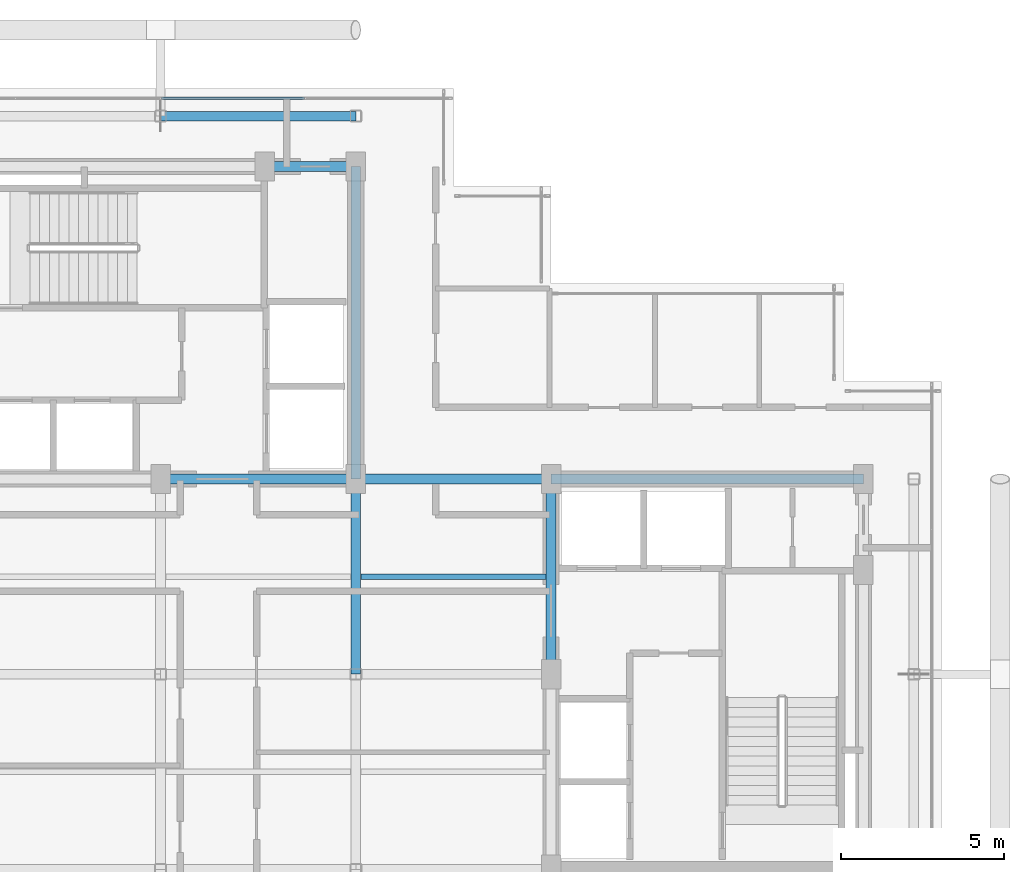
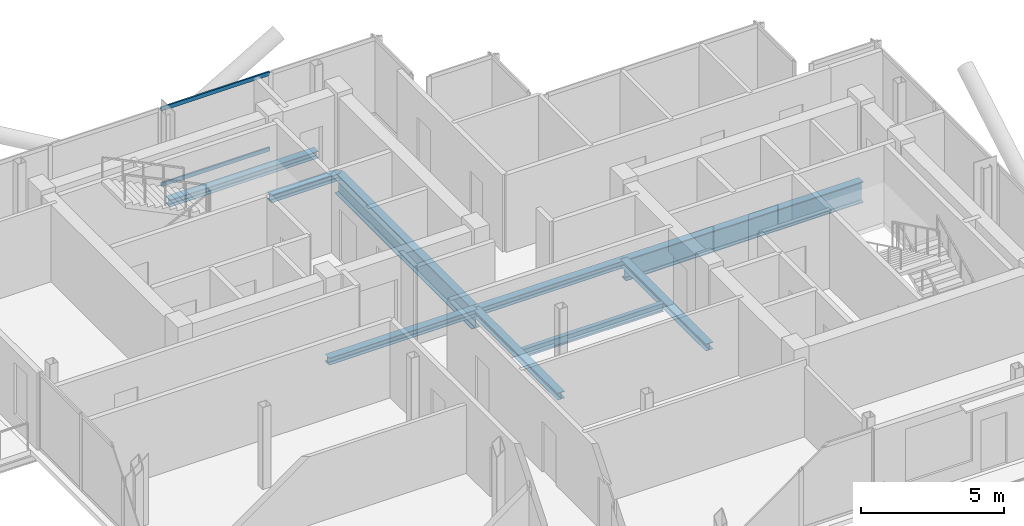
# One storey, part 9 of 18: 9 beams, 2 members, 1 element without a shape of its own.
"""IFC4 building model written with IfcOpenShell, lengths in metres."""

from ifc_helpers import new_model, si_unit, direction, frame, origin, origin_2d, place, context, subcontext, project, spatial, hollow_rectangle, i_section, extrude, material, layer, layer_set, material_profile, profile_set, type_object, element, aggregate, save


model = new_model("IFC4")

# Units and contexts
model_context = context("Model", 3, precision=1e-05, world=origin(), true_north=direction((0.0, 1.0)))
body_context = subcontext(model_context, "Body", "Model", "MODEL_VIEW")
ifc_project = project(units=[si_unit("LENGTHUNIT", "METRE"), si_unit("AREAUNIT", "SQUARE_METRE"), si_unit("VOLUMEUNIT", "CUBIC_METRE"), si_unit("PLANEANGLEUNIT", "RADIAN"), si_unit("MASSUNIT", "GRAM", prefix="KILO"), si_unit("THERMODYNAMICTEMPERATUREUNIT", "KELVIN"), si_unit("POWERUNIT", "WATT")], contexts=[model_context])

# Site, building, storey
site_placement = place(None, origin())
site = spatial("IfcSite", under=ifc_project, at=site_placement, CompositionType="ELEMENT")
building_placement = place(site_placement, origin())
building = spatial("IfcBuilding", under=site, at=building_placement, Name="Svarakhadi Broadcast Tower", CompositionType="ELEMENT")
storey_placement = place(building_placement, frame((0.0, 0.0, 274.699951171875)))
storey = spatial("IfcBuildingStorey", under=building, at=storey_placement, Name="L69", CompositionType="ELEMENT", Elevation=274.699951171875)

# Beam
ifc_material_1 = material(Name="Steel S355J2 (IS 2062 E350C)", Category="steel")
ifc_material_profile_1 = material_profile(ifc_material_1, i_section(OverallWidth=0.169921875, OverallDepth=0.360107421875, WebThickness=0.008056640625, FlangeThickness=0.0126953125, FilletRadius=0.01806640625, at=origin_2d()), Name="NPB 360x170x57")
ifc_profile_set_1 = profile_set([ifc_material_profile_1], Name="Steel S355J2 (IS 2062 E350C)")
beam_type_1 = type_object("IfcBeamType", Name="Beam_NPB360", PredefinedType="BEAM", material=ifc_profile_set_1)
beam_1_placement = place(storey_placement, frame((18.159912109375, 15.0, -0.3798828125), z_axis=(1.0, 0.0, 0.0), x_axis=(0.0, 1.0, 0.0)))
element("IfcBeam", 1, at=beam_1_placement, inside=storey, type_object=beam_type_1, Name="L69 Secondary Composite Beam SB012", PredefinedType="BEAM", context=body_context, shape_type="SweptSolid", body=[
    extrude(i_section(OverallWidth=0.169921875, OverallDepth=0.360107421875, WebThickness=0.008056640625, FlangeThickness=0.0126953125, FilletRadius=0.01806640625, at=origin_2d()), origin(), (0.0, 0.0, 1.0), 5.68017578125),
])

# Curtain wall, members
ifc_material_2 = material(Name="Anodised Bronze Aluminium AA 6063-T6", Category="aluminium")
ifc_layer = layer(ifc_material_2, 0.179931640625)
ifc_layer_set = layer_set([ifc_layer], Name="Anodised Bronze Aluminium AA 6063-T6")
curtain_wall_type = type_object("IfcCurtainWallType", Name="CW_Sys_05", PredefinedType="NOTDEFINED", material=ifc_layer_set)
curtain_wall_placement = place(storey_placement, origin())
curtain_wall = element("IfcCurtainWall", 2, at=curtain_wall_placement, inside=storey, type_object=curtain_wall_type, Name="L69 Unitised Facade Curtain Wall 05", PredefinedType="NOTDEFINED")
ifc_material_profile_2 = material_profile(ifc_material_2, hollow_rectangle(XDim=0.06494140625, YDim=0.1650390625, WallThickness=0.0048828125, at=origin_2d()), Name="ALU TRANSOM 165x65x5")
ifc_profile_set_2 = profile_set([ifc_material_profile_2], Name="Anodised Bronze Aluminium AA 6063-T6")
member_type = type_object("IfcMemberType", Name="CW_Sys_05_Trn", PredefinedType="USERDEFINED", material=ifc_profile_set_2)
member_1_placement = place(storey_placement, frame((12.034912109375, 29.699951171875, 0.032470703125), z_axis=(1.0, 0.0, 0.0), x_axis=(0.0, 1.0, 0.0)))
member_1 = element("IfcMember", 3, at=member_1_placement, type_object=member_type, Name="CW-05 transom 3.1", ObjectType="TRANSOM", PredefinedType="USERDEFINED", context=body_context, shape_type="SweptSolid", body=[
    extrude(hollow_rectangle(XDim=0.06494140625, YDim=0.1650390625, WallThickness=0.0048828125, at=origin_2d()), origin(), (0.0, 0.0, 1.0), 4.385009765625),
])
member_2_placement = place(storey_placement, frame((12.034912109375, 29.699951171875, 3.267578125), z_axis=(1.0, 0.0, 0.0), x_axis=(0.0, 1.0, 0.0)))
member_2 = element("IfcMember", 4, at=member_2_placement, type_object=member_type, Name="CW-05 transom 3.2", ObjectType="TRANSOM", PredefinedType="USERDEFINED", context=body_context, shape_type="SweptSolid", body=[
    extrude(hollow_rectangle(XDim=0.06494140625, YDim=0.1650390625, WallThickness=0.0048828125, at=origin_2d()), origin(), (0.0, 0.0, 1.0), 4.385009765625),
])
aggregate(curtain_wall, [member_1, member_2])

# Beams
ifc_material_profile_3 = material_profile(ifc_material_1, i_section(OverallWidth=0.300048828125, OverallDepth=0.300048828125, WebThickness=0.010986328125, FlangeThickness=0.01904296875, FilletRadius=0.027099609375, at=origin_2d()), Name="WPB 300x300x117")
ifc_profile_set_3 = profile_set([ifc_material_profile_3], Name="Steel S355J2 (IS 2062 E350C)")
beam_type_2 = type_object("IfcBeamType", Name="Girder_WPB300", PredefinedType="USERDEFINED", material=ifc_profile_set_3)
for number, where, z_axis, x_axis, name in (
    (5, (12.0, 18.0, -0.349853515625), (1.0, 0.0, 0.0), (0.0, 1.0, 0.0), "L69 Primary E-W Girder G019"),
    (6, (18.0, 18.0, -0.349853515625), (1.0, 0.0, 0.0), (0.0, 1.0, 0.0), "L69 Primary E-W Girder G020"),
):
    element("IfcBeam", number, at=place(storey_placement, frame(where, z_axis=z_axis, x_axis=x_axis)), inside=storey, type_object=beam_type_2, Name=name, ObjectType="GIRDER", PredefinedType="USERDEFINED", context=body_context, shape_type="SweptSolid", body=[
        extrude(i_section(OverallWidth=0.300048828125, OverallDepth=0.300048828125, WebThickness=0.010986328125, FlangeThickness=0.01904296875, FilletRadius=0.027099609375, at=origin_2d()), origin(), (0.0, 0.0, 1.0), 6.0),
    ])
beam_2_placement = place(storey_placement, frame((15.199951171875, 27.60009765625, -0.349853515625), z_axis=(1.0, 0.0, 0.0), x_axis=(0.0, 1.0, 0.0)))
element("IfcBeam", 7, at=beam_2_placement, inside=storey, type_object=beam_type_2, Name="L69 Primary E-W Girder G023", ObjectType="GIRDER", PredefinedType="USERDEFINED", context=body_context, shape_type="SweptSolid", body=[
    extrude(i_section(OverallWidth=0.300048828125, OverallDepth=0.300048828125, WebThickness=0.010986328125, FlangeThickness=0.01904296875, FilletRadius=0.027099609375, at=origin_2d()), origin(), (0.0, 0.0, 1.0), 2.800048828125),
])
for number, where, z_axis, x_axis, name in (
    (8, (12.0, 29.14990234375, -0.349853515625), (1.0, 0.0, 0.0), (0.0, 1.0, 0.0), "L69 Primary E-W Girder G025"),
    (9, (18.0, 12.0, -0.349853515625), (0.0, 1.0, 0.0), (-1.0, 0.0, 0.0), "L69 Primary N-S Girder G038"),
    (10, (24.0, 12.0, -0.349853515625), (0.0, 1.0, 0.0), (-1.0, 0.0, 0.0), "L69 Primary N-S Girder G042"),
):
    element("IfcBeam", number, at=place(storey_placement, frame(where, z_axis=z_axis, x_axis=x_axis)), inside=storey, type_object=beam_type_2, Name=name, ObjectType="GIRDER", PredefinedType="USERDEFINED", context=body_context, shape_type="SweptSolid", body=[
        extrude(i_section(OverallWidth=0.300048828125, OverallDepth=0.300048828125, WebThickness=0.010986328125, FlangeThickness=0.01904296875, FilletRadius=0.027099609375, at=origin_2d()), origin(), (0.0, 0.0, 1.0), 6.0),
    ])
ifc_material_3 = material(Name="Steel S460ML (IS 2062 E450BR)", Category="steel")
ifc_material_profile_4 = material_profile(ifc_material_3, i_section(OverallWidth=0.300048828125, OverallDepth=0.89990234375, WebThickness=0.0185546875, FlangeThickness=0.034912109375, FilletRadius=0.030029296875, at=origin_2d()), Name="WPB 900x300x291")
ifc_profile_set_4 = profile_set([ifc_material_profile_4], Name="Steel S460ML (IS 2062 E450BR)")
beam_type_3 = type_object("IfcBeamType", Name="Girder_WPB900", PredefinedType="USERDEFINED", material=ifc_profile_set_4)
for number, where, z_axis, x_axis, name in (
    (11, (24.0, 18.0, -0.64990234375), (1.0, 0.0, 0.0), (0.0, 1.0, 0.0), "L69 Primary E-W Girder G021"),
    (12, (18.0, 18.0, -0.64990234375), (0.0, 1.0, 0.0), (-1.0, 0.0, 0.0), "L69 Primary N-S Girder G039"),
):
    element("IfcBeam", number, at=place(storey_placement, frame(where, z_axis=z_axis, x_axis=x_axis)), inside=storey, type_object=beam_type_3, Name=name, ObjectType="GIRDER", PredefinedType="USERDEFINED", context=body_context, shape_type="SweptSolid", body=[
        extrude(i_section(OverallWidth=0.300048828125, OverallDepth=0.89990234375, WebThickness=0.0185546875, FlangeThickness=0.034912109375, FilletRadius=0.030029296875, at=origin_2d()), origin(), (0.0, 0.0, 1.0), 9.60009765625),
    ])

save(model, "model.ifc")
